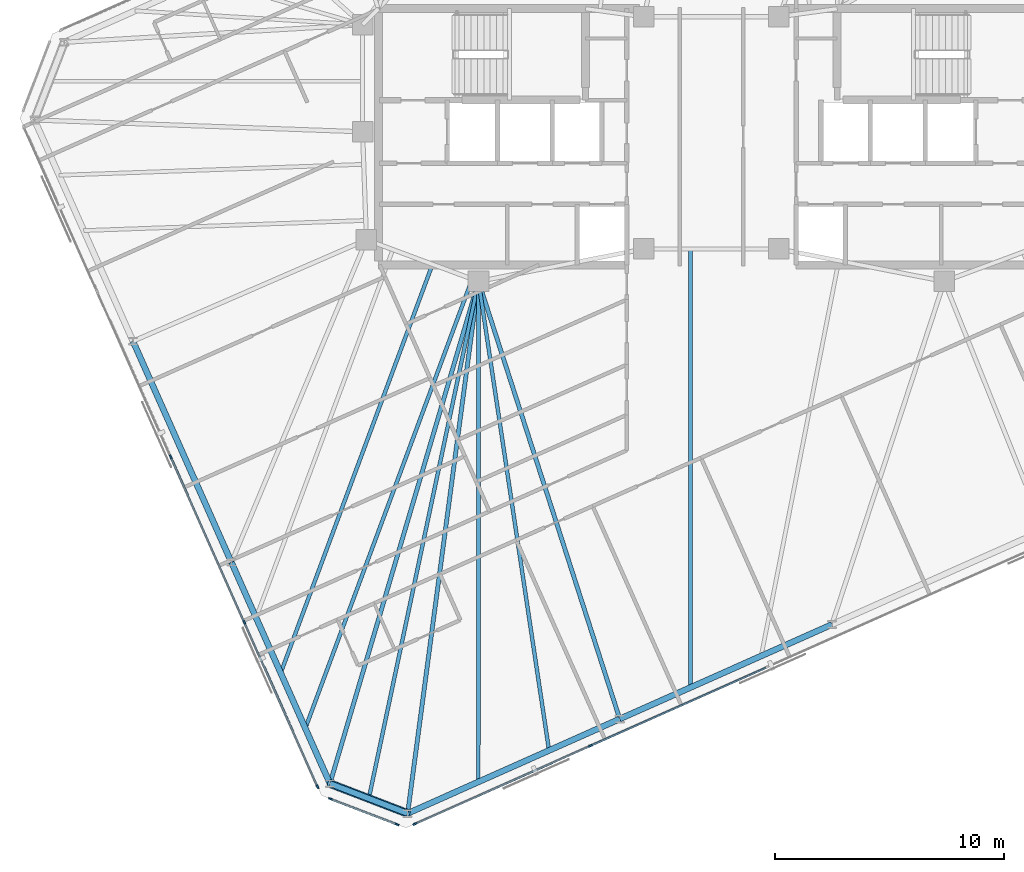
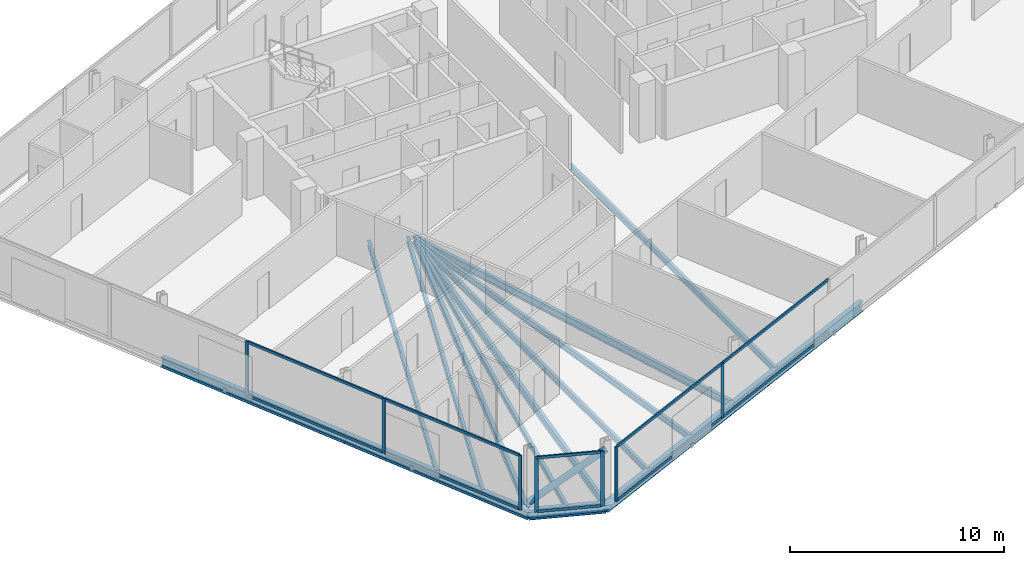
# One storey, part 5 of 19: 18 members, 14 beams, 3 elements without a shape of their own.
"""IFC4 building model written with IfcOpenShell, lengths in metres."""

from ifc_helpers import new_model, si_unit, direction, frame, origin, origin_2d, place, context, subcontext, project, spatial, rectangle, hollow_circle, i_section, extrude, material, material_profile, profile_set, type_object, element, aggregate, save


model = new_model("IFC4")

# Units and contexts
model_context = context("Model", 3, precision=1e-05, world=origin(), true_north=direction((0.0, 1.0)))
body_context = subcontext(model_context, "Body", "Model", "MODEL_VIEW")
ifc_project = project(units=[si_unit("LENGTHUNIT", "METRE"), si_unit("AREAUNIT", "SQUARE_METRE"), si_unit("VOLUMEUNIT", "CUBIC_METRE"), si_unit("PLANEANGLEUNIT", "RADIAN"), si_unit("MASSUNIT", "GRAM", prefix="KILO")], contexts=[model_context])

# Site, building, storey
site_placement = place(None, origin())
site = spatial("IfcSite", under=ifc_project, at=site_placement, CompositionType="ELEMENT")
building_placement = place(site_placement, origin())
building = spatial("IfcBuilding", under=site, at=building_placement, Name="Menara Jurai Vektor", CompositionType="ELEMENT")
storey_placement = place(building_placement, frame((0.0, 0.0, 262.199951171875)))
storey = spatial("IfcBuildingStorey", under=building, at=storey_placement, Name="L70", CompositionType="ELEMENT", Elevation=262.199951171875)

# Curtain wall, members
ifc_material_1 = material(Name="Anodised Pale Aluminium & Low-E Double Glazing", Category="aluminium")
curtain_wall_type = type_object("IfcCurtainWallType", Name="CW-BLK5", PredefinedType="NOTDEFINED", material=ifc_material_1)
curtain_wall_1_placement = place(storey_placement, origin())
curtain_wall_1 = element("IfcCurtainWall", 1, at=curtain_wall_1_placement, inside=storey, type_object=curtain_wall_type, Name="Unitised Curtain Wall L70 F01", PredefinedType="NOTDEFINED")
ifc_material_2 = material(Name="Anodised Pale Aluminium Mullion", Category="aluminium")
ifc_material_profile_1 = material_profile(ifc_material_2, rectangle(XDim=0.074951171875, YDim=0.175048828125, at=origin_2d()), Name="ALU MUL 75x175")
ifc_profile_set_1 = profile_set([ifc_material_profile_1], Name="Anodised Pale Aluminium Mullion")
member_type_1 = type_object("IfcMemberType", Name="CW-BLK5-MUL", PredefinedType="MULLION", material=ifc_profile_set_1)
member_1_placement = place(storey_placement, frame((-12.96875, -30.04052734375, 0.0), z_axis=(0.0, 0.0, 1.0), x_axis=(-0.406735498684, 0.913545967158, 0.0)))
member_1 = element("IfcMember", 2, at=member_1_placement, type_object=member_type_1, Name="CW-05 mullion 1", PredefinedType="MULLION", context=body_context, shape_type="SweptSolid", body=[
    extrude(rectangle(XDim=0.074951171875, YDim=0.175048828125, at=origin_2d()), origin(), (0.0, 0.0, 1.0), 3.125),
])
member_2_placement = place(storey_placement, frame((-5.292724609375, -26.623046875, 0.0), z_axis=(0.0, 0.0, 1.0), x_axis=(-0.406735498684, 0.913545967158, 0.0)))
member_2 = element("IfcMember", 3, at=member_2_placement, type_object=member_type_1, Name="CW-05 mullion 2", PredefinedType="MULLION", context=body_context, shape_type="SweptSolid", body=[
    extrude(rectangle(XDim=0.074951171875, YDim=0.175048828125, at=origin_2d()), origin(), (0.0, 0.0, 1.0), 3.125),
])

curtain_wall_2_placement = place(storey_placement, origin())
curtain_wall_2 = element("IfcCurtainWall", 4, at=curtain_wall_2_placement, inside=storey, type_object=curtain_wall_type, Name="Unitised Curtain Wall L70 F07", PredefinedType="NOTDEFINED")
member_3_placement = place(storey_placement, frame((-23.635986328125, -13.991943359375, 0.0), z_axis=(0.0, 0.0, 1.0), x_axis=(0.913546127706, 0.406735138086, 0.0)))
member_3 = element("IfcMember", 5, at=member_3_placement, type_object=member_type_1, Name="CW-05 mullion 3", PredefinedType="MULLION", context=body_context, shape_type="SweptSolid", body=[
    extrude(rectangle(XDim=0.074951171875, YDim=0.175048828125, at=origin_2d()), origin(), (0.0, 0.0, 1.0), 3.125),
])
member_4_placement = place(storey_placement, frame((-20.418701171875, -21.21826171875, 0.0), z_axis=(0.0, 0.0, 1.0), x_axis=(0.913546127706, 0.406735138086, 0.0)))
member_4 = element("IfcMember", 6, at=member_4_placement, type_object=member_type_1, Name="CW-05 mullion 4", PredefinedType="MULLION", context=body_context, shape_type="SweptSolid", body=[
    extrude(rectangle(XDim=0.074951171875, YDim=0.175048828125, at=origin_2d()), origin(), (0.0, 0.0, 1.0), 3.125),
])
member_5_placement = place(storey_placement, frame((-17.216796875, -28.41015625, 0.0), z_axis=(0.0, 0.0, 1.0), x_axis=(0.913546127706, 0.406735138086, 0.0)))
member_5 = element("IfcMember", 7, at=member_5_placement, type_object=member_type_1, Name="CW-05 mullion 5", PredefinedType="MULLION", context=body_context, shape_type="SweptSolid", body=[
    extrude(rectangle(XDim=0.074951171875, YDim=0.175048828125, at=origin_2d()), origin(), (0.0, 0.0, 1.0), 3.125),
])

curtain_wall_3_placement = place(storey_placement, origin())
curtain_wall_3 = element("IfcCurtainWall", 8, at=curtain_wall_3_placement, inside=storey, type_object=curtain_wall_type, Name="Unitised Curtain Wall L70 F08", PredefinedType="NOTDEFINED")
member_6_placement = place(storey_placement, frame((-16.656982421875, -28.94091796875, 0.0), z_axis=(0.0, 0.0, 1.0), x_axis=(0.358373766287, 0.933578193639, 0.0)))
member_6 = element("IfcMember", 9, at=member_6_placement, type_object=member_type_1, Name="CW-05 mullion 1", PredefinedType="MULLION", context=body_context, shape_type="SweptSolid", body=[
    extrude(rectangle(XDim=0.074951171875, YDim=0.175048828125, at=origin_2d()), origin(), (0.0, 0.0, 1.0), 3.125),
])
member_7_placement = place(storey_placement, frame((-13.739990234375, -30.060791015625, 0.0), z_axis=(0.0, 0.0, 1.0), x_axis=(0.358373766287, 0.933578193639, 0.0)))
member_7 = element("IfcMember", 10, at=member_7_placement, type_object=member_type_1, Name="CW-05 mullion 2", PredefinedType="MULLION", context=body_context, shape_type="SweptSolid", body=[
    extrude(rectangle(XDim=0.074951171875, YDim=0.175048828125, at=origin_2d()), origin(), (0.0, 0.0, 1.0), 3.125),
])

# Member
ifc_material_3 = material(Name="Anodised Pale Aluminium Transom", Category="aluminium")
ifc_material_profile_2 = material_profile(ifc_material_3, rectangle(XDim=0.074951171875, YDim=0.155029296875, at=origin_2d()), Name="ALU TRN 75x155")
ifc_profile_set_2 = profile_set([ifc_material_profile_2], Name="Anodised Pale Aluminium Transom")
member_type_2 = type_object("IfcMemberType", Name="CW-BLK5-TRN", PredefinedType="USERDEFINED", material=ifc_profile_set_2)
member_8_placement = place(storey_placement, frame((-12.9345703125, -30.025390625, 0.03759765625), z_axis=(0.913542963736, 0.406742244436, 0.0), x_axis=(-0.406742244436, 0.913542963736, 0.0)))
member_8 = element("IfcMember", 11, at=member_8_placement, type_object=member_type_2, Name="CW-05 transom 1.1", ObjectType="TRANSOM", PredefinedType="USERDEFINED", context=body_context, shape_type="SweptSolid", body=[
    extrude(rectangle(XDim=0.074951171875, YDim=0.155029296875, at=origin_2d()), origin(), (0.0, 0.0, 1.0), 8.32763671875),
])

member_9_placement = place(storey_placement, frame((-12.9345703125, -30.025390625, 3.087646484375), z_axis=(0.913542963736, 0.406742244436, 0.0), x_axis=(-0.406742244436, 0.913542963736, 0.0)))
member_9 = element("IfcMember", 12, at=member_9_placement, type_object=member_type_2, Name="CW-05 transom 1.2", ObjectType="TRANSOM", PredefinedType="USERDEFINED", context=body_context, shape_type="SweptSolid", body=[
    extrude(rectangle(XDim=0.074951171875, YDim=0.155029296875, at=origin_2d()), origin(), (0.0, 0.0, 1.0), 8.32763671875),
])

member_10_placement = place(storey_placement, frame((-5.25830078125, -26.60791015625, 0.03759765625), z_axis=(0.913541747007, 0.406744977198, 0.0), x_axis=(-0.406744977198, 0.913541747007, 0.0)))
member_10 = element("IfcMember", 13, at=member_10_placement, type_object=member_type_2, Name="CW-05 transom 2.1", ObjectType="TRANSOM", PredefinedType="USERDEFINED", context=body_context, shape_type="SweptSolid", body=[
    extrude(rectangle(XDim=0.074951171875, YDim=0.155029296875, at=origin_2d()), origin(), (0.0, 0.0, 1.0), 8.36474609375),
])

member_11_placement = place(storey_placement, frame((-5.25830078125, -26.60791015625, 3.087646484375), z_axis=(0.913541747007, 0.406744977198, 0.0), x_axis=(-0.406744977198, 0.913541747007, 0.0)))
member_11 = element("IfcMember", 14, at=member_11_placement, type_object=member_type_2, Name="CW-05 transom 2.2", ObjectType="TRANSOM", PredefinedType="USERDEFINED", context=body_context, shape_type="SweptSolid", body=[
    extrude(rectangle(XDim=0.074951171875, YDim=0.155029296875, at=origin_2d()), origin(), (0.0, 0.0, 1.0), 8.36474609375),
])

aggregate(curtain_wall_1, [member_1, member_2, member_8, member_9, member_10, member_11])

member_12_placement = place(storey_placement, frame((-23.620849609375, -14.0263671875, 0.03759765625), z_axis=(0.40674264085, -0.913542787238, 0.0), x_axis=(0.913542787238, 0.40674264085, 0.0)))
member_12 = element("IfcMember", 15, at=member_12_placement, type_object=member_type_2, Name="CW-05 transom 3.1", ObjectType="TRANSOM", PredefinedType="USERDEFINED", context=body_context, shape_type="SweptSolid", body=[
    extrude(rectangle(XDim=0.074951171875, YDim=0.155029296875, at=origin_2d()), origin(), (0.0, 0.0, 1.0), 7.8349609375),
])

member_13_placement = place(storey_placement, frame((-23.620849609375, -14.0263671875, 3.087646484375), z_axis=(0.40674264085, -0.913542787238, 0.0), x_axis=(0.913542787238, 0.40674264085, 0.0)))
member_13 = element("IfcMember", 16, at=member_13_placement, type_object=member_type_2, Name="CW-05 transom 3.2", ObjectType="TRANSOM", PredefinedType="USERDEFINED", context=body_context, shape_type="SweptSolid", body=[
    extrude(rectangle(XDim=0.074951171875, YDim=0.155029296875, at=origin_2d()), origin(), (0.0, 0.0, 1.0), 7.8349609375),
])

member_14_placement = place(storey_placement, frame((-20.403564453125, -21.25244140625, 0.03759765625), z_axis=(0.406751345283, -0.913538911656, 0.0), x_axis=(0.913538911656, 0.406751345283, 0.0)))
member_14 = element("IfcMember", 17, at=member_14_placement, type_object=member_type_2, Name="CW-05 transom 4.1", ObjectType="TRANSOM", PredefinedType="USERDEFINED", context=body_context, shape_type="SweptSolid", body=[
    extrude(rectangle(XDim=0.074951171875, YDim=0.155029296875, at=origin_2d()), origin(), (0.0, 0.0, 1.0), 7.79736328125),
])

member_15_placement = place(storey_placement, frame((-20.403564453125, -21.25244140625, 3.087646484375), z_axis=(0.406751345283, -0.913538911656, 0.0), x_axis=(0.913538911656, 0.406751345283, 0.0)))
member_15 = element("IfcMember", 18, at=member_15_placement, type_object=member_type_2, Name="CW-05 transom 4.2", ObjectType="TRANSOM", PredefinedType="USERDEFINED", context=body_context, shape_type="SweptSolid", body=[
    extrude(rectangle(XDim=0.074951171875, YDim=0.155029296875, at=origin_2d()), origin(), (0.0, 0.0, 1.0), 7.79736328125),
])

aggregate(curtain_wall_2, [member_3, member_4, member_5, member_12, member_13, member_14, member_15])

member_16_placement = place(storey_placement, frame((-16.6220703125, -28.95458984375, 0.03759765625), z_axis=(0.933597094911, -0.358324523823, 0.0), x_axis=(0.358324523823, 0.933597094911, 0.0)))
member_16 = element("IfcMember", 19, at=member_16_placement, type_object=member_type_2, Name="CW-05 transom 1.1", ObjectType="TRANSOM", PredefinedType="USERDEFINED", context=body_context, shape_type="SweptSolid", body=[
    extrude(rectangle(XDim=0.074951171875, YDim=0.155029296875, at=origin_2d()), origin(), (0.0, 0.0, 1.0), 3.049560546875),
])

member_17_placement = place(storey_placement, frame((-16.6220703125, -28.95458984375, 3.087646484375), z_axis=(0.933597094911, -0.358324523823, 0.0), x_axis=(0.358324523823, 0.933597094911, 0.0)))
member_17 = element("IfcMember", 20, at=member_17_placement, type_object=member_type_2, Name="CW-05 transom 1.2", ObjectType="TRANSOM", PredefinedType="USERDEFINED", context=body_context, shape_type="SweptSolid", body=[
    extrude(rectangle(XDim=0.074951171875, YDim=0.155029296875, at=origin_2d()), origin(), (0.0, 0.0, 1.0), 3.049560546875),
])

aggregate(curtain_wall_3, [member_6, member_7, member_16, member_17])

# Beams
ifc_material_4 = material(Name="Steel S355", Category="steel")
ifc_material_profile_3 = material_profile(ifc_material_4, i_section(OverallWidth=0.18505859375, OverallDepth=0.429931640625, WebThickness=0.010986328125, FlangeThickness=0.01806640625, at=origin_2d()), Name="PG 430x185x76")
ifc_profile_set_3 = profile_set([ifc_material_profile_3], Name="Steel S355")
beam_type_1 = type_object("IfcBeamType", Name="STR-BM-430", PredefinedType="BEAM", material=ifc_profile_set_3)
beam_1_placement = place(storey_placement, frame((-13.279541015625, -29.576904296875, -0.43994140625), z_axis=(0.132109192855, 0.991235169454, 0.0), x_axis=(-0.991235169454, 0.132109192855, 0.0)))
element("IfcBeam", 21, at=beam_1_placement, inside=storey, type_object=beam_type_1, Name="Radial Floor Girder L70-S1", PredefinedType="BEAM", context=body_context, shape_type="SweptSolid", body=[
    extrude(i_section(OverallWidth=0.18505859375, OverallDepth=0.429931640625, WebThickness=0.010986328125, FlangeThickness=0.01806640625, at=origin_2d()), origin(), (0.0, 0.0, 1.0), 23.46240234375),
])
beam_2_placement = place(storey_placement, frame((-4.006103515625, -25.4482421875, -0.43994140625), z_axis=(-0.307158217721, 0.95165846252, 0.0), x_axis=(-0.95165846252, -0.307158217721, 0.0)))
element("IfcBeam", 22, at=beam_2_placement, inside=storey, type_object=beam_type_1, Name="Radial Floor Girder L70-S2", PredefinedType="BEAM", context=body_context, shape_type="SweptSolid", body=[
    extrude(i_section(OverallWidth=0.18505859375, OverallDepth=0.429931640625, WebThickness=0.010986328125, FlangeThickness=0.01806640625, at=origin_2d()), origin(), (0.0, 0.0, 1.0), 20.099853515625),
])
beam_3_placement = place(storey_placement, frame((-16.675537109375, -28.2734375, -0.43994140625), z_axis=(0.283723047838, 0.958906268686, 0.0), x_axis=(-0.958906268686, 0.283723047838, 0.0)))
element("IfcBeam", 23, at=beam_3_placement, inside=storey, type_object=beam_type_1, Name="Radial Floor Girder L70-W4", PredefinedType="BEAM", context=body_context, shape_type="SweptSolid", body=[
    extrude(i_section(OverallWidth=0.18505859375, OverallDepth=0.429931640625, WebThickness=0.010986328125, FlangeThickness=0.01806640625, at=origin_2d()), origin(), (0.0, 0.0, 1.0), 22.894287109375),
])

# Member
ifc_material_5 = material(Name="Steel S460", Category="steel")
ifc_material_profile_4 = material_profile(ifc_material_5, hollow_circle(Radius=0.177734375, WallThickness=0.01611328125, at=origin_2d()), Name="CHS 355.6x16")
ifc_profile_set_4 = profile_set([ifc_material_profile_4], Name="Steel S460")
member_type_3 = type_object("IfcMemberType", Name="STR-BR-356", PredefinedType="BRACE", material=ifc_profile_set_4)
member_18_placement = place(storey_placement, frame((-16.675537109375, -28.2734375, 0.150146484375), z_axis=(0.757054002265, -0.290575939475, 0.585179340931), x_axis=(0.358335850414, 0.933592747566, 0.0)))
element("IfcMember", 24, at=member_18_placement, inside=storey, type_object=member_type_3, Name="Exoskeleton Corner Brace L70-4", PredefinedType="BRACE", context=body_context, shape_type="SweptSolid", body=[
    extrude(hollow_circle(Radius=0.177734375, WallThickness=0.01611328125, at=origin_2d()), origin(), (0.0, 0.0, 1.0), 4.48583984375),
])

# Beams
ifc_material_profile_5 = material_profile(ifc_material_4, i_section(OverallWidth=0.1650390625, OverallDepth=0.330078125, WebThickness=0.009033203125, FlangeThickness=0.013916015625, at=origin_2d()), Name="PG 330x165x46")
ifc_profile_set_5 = profile_set([ifc_material_profile_5], Name="Steel S355")
beam_type_2 = type_object("IfcBeamType", Name="STR-JS-330", PredefinedType="JOIST", material=ifc_profile_set_5)
beam_4_placement = place(storey_placement, frame((-10.188232421875, -28.20068359375, -0.389892578125), z_axis=(0.000379366876, 0.99999992804, 0.0), x_axis=(-0.99999992804, 0.000379366876, 0.0)))
element("IfcBeam", 25, at=beam_4_placement, inside=storey, type_object=beam_type_2, Name="Radial Secondary Floor Joist L70-JS01", PredefinedType="JOIST", context=body_context, shape_type="SweptSolid", body=[
    extrude(i_section(OverallWidth=0.1650390625, OverallDepth=0.330078125, WebThickness=0.009033203125, FlangeThickness=0.013916015625, at=origin_2d()), origin(), (0.0, 0.0, 1.0), 21.880615234375),
])
beam_5_placement = place(storey_placement, frame((-7.09716796875, -26.824462890625, -0.389892578125), z_axis=(-0.148675540239, 0.988886031722, 0.0), x_axis=(-0.988886031722, -0.148675540239, 0.0)))
element("IfcBeam", 26, at=beam_5_placement, inside=storey, type_object=beam_type_2, Name="Radial Secondary Floor Joist L70-JS02", PredefinedType="JOIST", context=body_context, shape_type="SweptSolid", body=[
    extrude(i_section(OverallWidth=0.1650390625, OverallDepth=0.330078125, WebThickness=0.009033203125, FlangeThickness=0.013916015625, at=origin_2d()), origin(), (0.0, 0.0, 1.0), 20.73486328125),
])
beam_6_placement = place(storey_placement, frame((-0.914794921875, -24.072021484375, -0.389892578125), z_axis=(0.0, 1.0, 0.0), x_axis=(-1.0, 0.0, 0.0)))
element("IfcBeam", 27, at=beam_6_placement, inside=storey, type_object=beam_type_2, Name="Radial Secondary Floor Joist L70-JS03", PredefinedType="JOIST", context=body_context, shape_type="SweptSolid", body=[
    extrude(i_section(OverallWidth=0.1650390625, OverallDepth=0.330078125, WebThickness=0.009033203125, FlangeThickness=0.013916015625, at=origin_2d()), origin(), (0.0, 0.0, 1.0), 19.172119140625),
])
beam_7_placement = place(storey_placement, frame((-18.828125, -23.4384765625, -0.389892578125), z_axis=(0.348177845571, 0.937428497462, 0.0), x_axis=(-0.937428497462, 0.348177845571, 0.0)))
element("IfcBeam", 28, at=beam_7_placement, inside=storey, type_object=beam_type_2, Name="Radial Secondary Floor Joist L70-JS29", PredefinedType="JOIST", context=body_context, shape_type="SweptSolid", body=[
    extrude(i_section(OverallWidth=0.1650390625, OverallDepth=0.330078125, WebThickness=0.009033203125, FlangeThickness=0.013916015625, at=origin_2d()), origin(), (0.0, 0.0, 1.0), 19.05859375),
])
beam_8_placement = place(storey_placement, frame((-17.751953125, -25.85595703125, -0.389892578125), z_axis=(0.348185651823, 0.937425598042, 0.0), x_axis=(-0.937425598042, 0.348185651823, 0.0)))
element("IfcBeam", 29, at=beam_8_placement, inside=storey, type_object=beam_type_2, Name="Radial Secondary Floor Joist L70-JS30", PredefinedType="JOIST", context=body_context, shape_type="SweptSolid", body=[
    extrude(i_section(OverallWidth=0.1650390625, OverallDepth=0.330078125, WebThickness=0.009033203125, FlangeThickness=0.013916015625, at=origin_2d()), origin(), (0.0, 0.0, 1.0), 20.949951171875),
])
beam_9_placement = place(storey_placement, frame((-14.9775390625, -28.92529296875, -0.389892578125), z_axis=(0.207610208592, 0.978211634202, 0.0), x_axis=(-0.978211634202, 0.207610208592, 0.0)))
element("IfcBeam", 30, at=beam_9_placement, inside=storey, type_object=beam_type_2, Name="Radial Secondary Floor Joist L70-JS31", PredefinedType="JOIST", context=body_context, shape_type="SweptSolid", body=[
    extrude(i_section(OverallWidth=0.1650390625, OverallDepth=0.330078125, WebThickness=0.009033203125, FlangeThickness=0.013916015625, at=origin_2d()), origin(), (0.0, 0.0, 1.0), 23.108642578125),
])
ifc_material_profile_6 = material_profile(ifc_material_4, i_section(OverallWidth=0.260009765625, OverallDepth=0.570068359375, WebThickness=0.013916015625, FlangeThickness=0.02392578125, at=origin_2d()), Name="PG 570x260x145")
ifc_profile_set_6 = profile_set([ifc_material_profile_6], Name="Steel S355")
beam_type_3 = type_object("IfcBeamType", Name="STR-SP-570", PredefinedType="SPANDREL", material=ifc_profile_set_6)
beam_10_placement = place(storey_placement, frame((-13.279541015625, -29.576904296875, -0.510009765625), z_axis=(0.913550519143, 0.406725274569, 0.0), x_axis=(-0.406725274569, 0.913550519143, 0.0)))
element("IfcBeam", 31, at=beam_10_placement, inside=storey, type_object=beam_type_3, Name="Exoskeleton Spandrel Beam L70-01", PredefinedType="SPANDREL", context=body_context, shape_type="SweptSolid", body=[
    extrude(i_section(OverallWidth=0.260009765625, OverallDepth=0.570068359375, WebThickness=0.013916015625, FlangeThickness=0.02392578125, at=origin_2d()), origin(), (0.0, 0.0, 1.0), 10.15087890625),
])
beam_11_placement = place(storey_placement, frame((-4.006103515625, -25.4482421875, -0.510009765625), z_axis=(0.913545561407, 0.406736410017, 0.0), x_axis=(-0.406736410017, 0.913545561407, 0.0)))
element("IfcBeam", 32, at=beam_11_placement, inside=storey, type_object=beam_type_3, Name="Exoskeleton Spandrel Beam L70-02", PredefinedType="SPANDREL", context=body_context, shape_type="SweptSolid", body=[
    extrude(i_section(OverallWidth=0.260009765625, OverallDepth=0.570068359375, WebThickness=0.013916015625, FlangeThickness=0.02392578125, at=origin_2d()), origin(), (0.0, 0.0, 1.0), 10.1513671875),
])
for number, where, z_axis, x_axis, name in (
    (33, (-25.286376953125, -8.933349609375, -0.510009765625), (0.406744000616, -0.913542181819, 0.0), (0.913542181819, 0.406744000616, 0.0), "Exoskeleton Spandrel Beam L70-18"),
    (34, (-20.98095703125, -18.603271484375, -0.510009765625), (0.40673543049, -0.91354599752, 0.0), (0.91354599752, 0.40673543049, 0.0), "Exoskeleton Spandrel Beam L70-19"),
):
    element("IfcBeam", number, at=place(storey_placement, frame(where, z_axis=z_axis, x_axis=x_axis)), inside=storey, type_object=beam_type_3, Name=name, PredefinedType="SPANDREL", context=body_context, shape_type="SweptSolid", body=[
        extrude(i_section(OverallWidth=0.260009765625, OverallDepth=0.570068359375, WebThickness=0.013916015625, FlangeThickness=0.02392578125, at=origin_2d()), origin(), (0.0, 0.0, 1.0), 10.585205078125),
    ])
beam_12_placement = place(storey_placement, frame((-16.675537109375, -28.2734375, -0.510009765625), z_axis=(0.933592747566, -0.358335850414, 0.0), x_axis=(0.358335850414, 0.933592747566, 0.0)))
element("IfcBeam", 35, at=beam_12_placement, inside=storey, type_object=beam_type_3, Name="Exoskeleton Spandrel Beam L70-20", PredefinedType="SPANDREL", context=body_context, shape_type="SweptSolid", body=[
    extrude(i_section(OverallWidth=0.260009765625, OverallDepth=0.570068359375, WebThickness=0.013916015625, FlangeThickness=0.02392578125, at=origin_2d()), origin(), (0.0, 0.0, 1.0), 3.637451171875),
])

save(model, "model.ifc")
